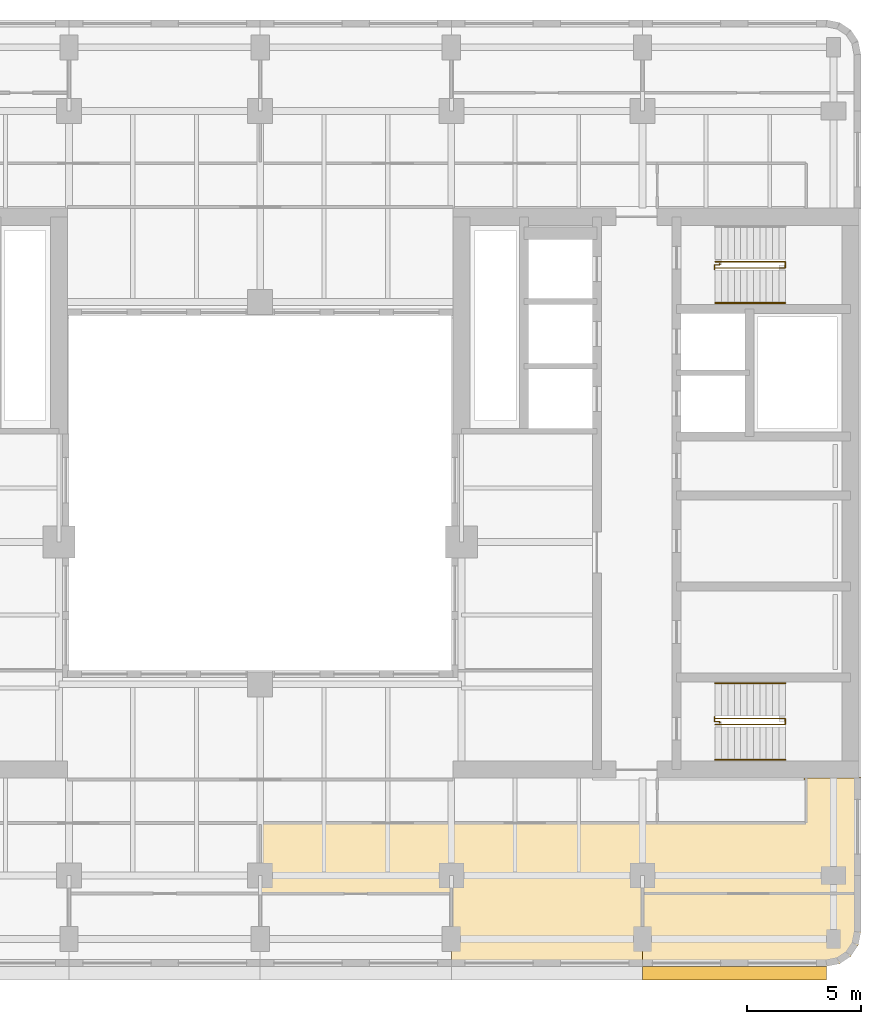
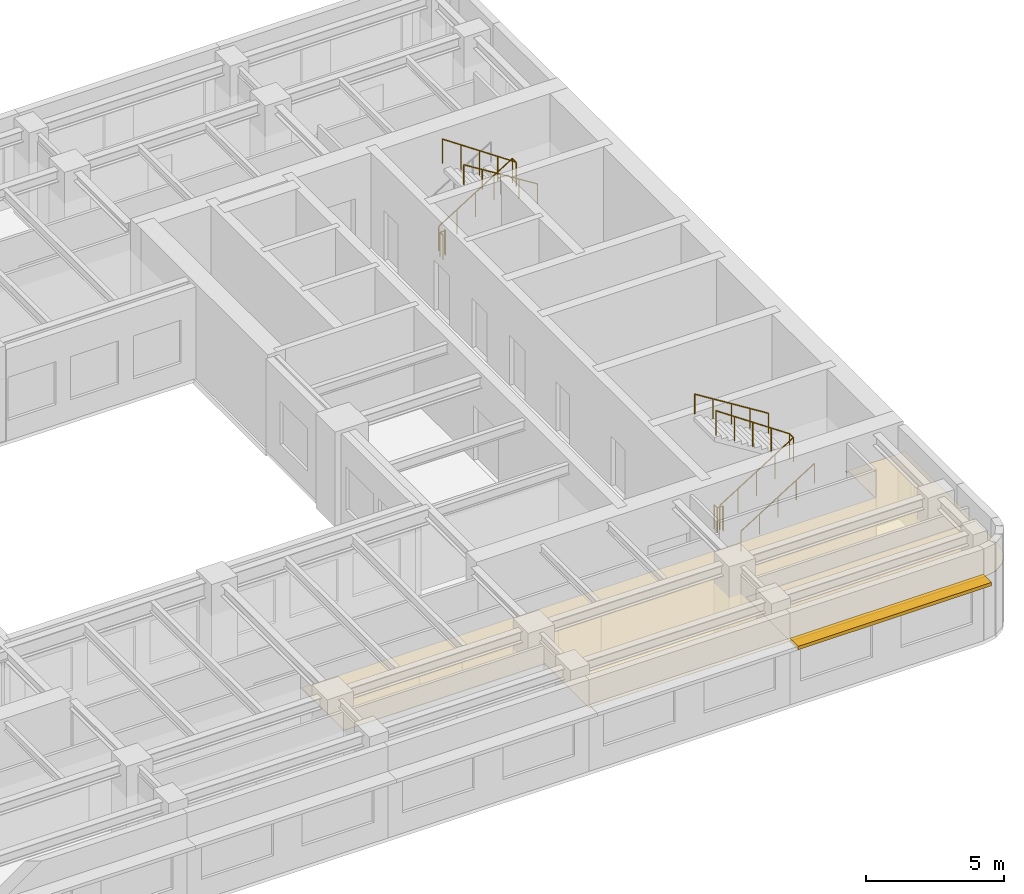
# One storey, part 10 of 11: 7 railings, 2 coverings, 1 shading device.
"""IFC4 building model written with IfcOpenShell, lengths in metres."""

from ifc_helpers import new_model, si_unit, direction, frame, origin, origin_2d, place, context, subcontext, project, spatial, polyline, rectangle, circle, outline, extrude, material, layer, layer_set, type_object, element, save


model = new_model("IFC4")

# Units and contexts
model_context = context("Model", 3, precision=1e-05, world=origin(), true_north=direction((0.0, 1.0)))
body_context = subcontext(model_context, "Body", "Model", "MODEL_VIEW")
ifc_project = project(units=[si_unit("LENGTHUNIT", "METRE"), si_unit("AREAUNIT", "SQUARE_METRE"), si_unit("VOLUMEUNIT", "CUBIC_METRE"), si_unit("PLANEANGLEUNIT", "RADIAN"), si_unit("MASSUNIT", "GRAM", prefix="KILO")], contexts=[model_context])

# Site, building, storey
site_placement = place(None, origin())
site = spatial("IfcSite", under=ifc_project, at=site_placement, CompositionType="ELEMENT")
building_placement = place(site_placement, origin())
building = spatial("IfcBuilding", under=site, at=building_placement, Name="Claustro Exchange Tower", CompositionType="ELEMENT")
storey_placement = place(building_placement, frame((0.0, 0.0, 190.199951171875)))
storey = spatial("IfcBuildingStorey", under=building, at=storey_placement, Name="L43", CompositionType="ELEMENT", Elevation=190.199951171875)

# Coverings
ifc_material_1 = material(Name="Gypsum board ceiling", Category="gypsum board")
ifc_layer_1 = layer(ifc_material_1, 0.02490234375)
ifc_layer_set_1 = layer_set([ifc_layer_1], Name="Gypsum board ceiling")
covering_type = type_object("IfcCoveringType", Name="CL2 plasterboard ceiling", PredefinedType="CEILING", material=ifc_layer_set_1)
covering_1_placement = place(storey_placement, frame((0.0, 0.0, 2.800048828125)))
element("IfcCovering", 1, at=covering_1_placement, inside=storey, type_object=covering_type, Name="Ceiling CL2 L43-04", PredefinedType="CEILING", context=body_context, shape_type="SweptSolid", body=[
    extrude(outline(polyline([(51.60009765625, 5.89990234375), (51.60009765625, 7.60009765625), (42.0, 7.60009765625), (42.0, 4.39990234375), (50.10009765625, 4.39990234375), (50.674072265625, 4.51416015625), (51.16064453125, 4.83935546875), (51.48583984375, 5.325927734375), (51.60009765625, 5.89990234375)])), origin(), (0.0, 0.0, 1.0), 0.02490234375),
])
covering_2_placement = place(storey_placement, frame((0.0, 0.0, 2.800048828125)))
element("IfcCovering", 2, at=covering_2_placement, inside=storey, type_object=covering_type, Name="Ceiling CL2 L43-06", PredefinedType="CEILING", context=body_context, shape_type="SweptSolid", body=[
    extrude(outline(polyline([(51.60009765625, 7.60009765625), (51.60009765625, 12.695068359375), (51.52490234375, 12.695068359375), (51.52490234375, 12.675048828125), (49.10498046875, 12.675048828125), (49.10498046875, 12.60009765625), (49.199951171875, 12.60009765625), (49.199951171875, 10.699951171875), (25.199951171875, 10.699951171875), (25.199951171875, 7.60009765625), (33.60009765625, 7.60009765625), (33.60009765625, 4.39990234375), (42.0, 4.39990234375), (42.0, 7.60009765625), (51.60009765625, 7.60009765625)])), origin(), (0.0, 0.0, 1.0), 0.02490234375),
])

# Railings
ifc_material_2 = material(Name="Steel balustrade, painted", Category="steel")
railing_type_1 = type_object("IfcRailingType", Name="GR2 1100 steel stair guard", PredefinedType="GUARDRAIL", material=ifc_material_2)
railing_1_placement = place(storey_placement, frame((45.199951171875, 15.02490234375, 0.175048828125)))
element("IfcRailing", 3, at=railing_1_placement, inside=storey, type_object=railing_type_1, Name="Stair well guard GR2 stair STEA L43", PredefinedType="GUARDRAIL", context=body_context, shape_type="SweptSolid", body=[
    extrude(circle(Radius=0.02392578125, at=origin_2d()), frame((0.0, 0.0, 1.076171875), z_axis=(0.847998304005, 0.0, 0.529998940003), x_axis=(0.0, 1.0, 0.0)), (0.0, 0.0, 1.0), 3.632080078125),
    extrude(circle(Radius=0.02392578125, at=origin_2d()), frame((3.080078125, 0.0, 3.0009765625), z_axis=(0.0, 1.0, 0.0), x_axis=(-1.0, 0.0, 0.0)), (0.0, 0.0, 1.0), 0.275146484375),
    extrude(circle(Radius=0.02392578125, at=origin_2d()), frame((3.080078125, 0.275146484375, 3.0009765625), z_axis=(-0.826252282691, 0.0, 0.563300244406), x_axis=(0.0, -1.0, 0.0)), (0.0, 0.0, 1.0), 3.727783203125),
    extrude(circle(Radius=0.02099609375, at=origin_2d()), origin(), (0.0, 0.0, 1.0), 1.052001953125),
    extrude(circle(Radius=0.02099609375, at=origin_2d()), frame((0.77001953125, 0.0, 0.481201171875)), (0.0, 0.0, 1.0), 1.052001953125),
    extrude(circle(Radius=0.02099609375, at=origin_2d()), frame((1.5400390625, 0.0, 0.96240234375)), (0.0, 0.0, 1.0), 1.052001953125),
    extrude(circle(Radius=0.02099609375, at=origin_2d()), frame((2.31005859375, 0.0, 1.44384765625)), (0.0, 0.0, 1.0), 1.052001953125),
    extrude(circle(Radius=0.02099609375, at=origin_2d()), frame((3.080078125, 0.0, 1.925048828125)), (0.0, 0.0, 1.0), 1.052001953125),
    extrude(circle(Radius=0.02099609375, at=origin_2d()), frame((3.080078125, 0.275146484375, 1.925048828125)), (0.0, 0.0, 1.0), 1.052001953125),
    extrude(circle(Radius=0.02099609375, at=origin_2d()), frame((2.31005859375, 0.275146484375, 2.449951171875)), (0.0, 0.0, 1.0), 1.052001953125),
    extrude(circle(Radius=0.02099609375, at=origin_2d()), frame((1.5400390625, 0.275146484375, 2.97509765625)), (0.0, 0.0, 1.0), 1.052001953125),
    extrude(circle(Radius=0.02099609375, at=origin_2d()), frame((0.77001953125, 0.275146484375, 3.5)), (0.0, 0.0, 1.0), 1.052001953125),
    extrude(circle(Radius=0.02099609375, at=origin_2d()), frame((0.0, 0.275146484375, 4.02490234375)), (0.0, 0.0, 1.0), 1.052001953125),
])
railing_2_placement = place(storey_placement, frame((45.39990234375, 15.094970703125, 0.0)))
element("IfcRailing", 4, at=railing_2_placement, inside=storey, type_object=railing_type_1, Name="Stair guard GR2 STEA L43", PredefinedType="GUARDRAIL", context=body_context, shape_type="SweptSolid", body=[
    extrude(circle(Radius=0.02392578125, at=origin_2d()), frame((0.0, 0.0, 1.076171875), z_axis=(0.0, 1.0, 0.0), x_axis=(-1.0, 0.0, 0.0)), (0.0, 0.0, 1.0), 0.067626953125),
    extrude(circle(Radius=0.02392578125, at=origin_2d()), frame((0.0, 0.067626953125, 1.076171875), z_axis=(-1.0, 0.0, 0.0), x_axis=(0.0, -1.0, 0.0)), (0.0, 0.0, 1.0), 0.224853515625),
    extrude(circle(Radius=0.02392578125, at=origin_2d()), frame((-0.224853515625, 0.067626953125, 1.076171875), z_axis=(0.0, 1.0, 0.0), x_axis=(-1.0, 0.0, 0.0)), (0.0, 0.0, 1.0), 0.21728515625),
    extrude(circle(Radius=0.02099609375, at=origin_2d()), origin(), (0.0, 0.0, 1.0), 1.052001953125),
    extrude(circle(Radius=0.02099609375, at=origin_2d()), frame((0.0, 0.067626953125, 0.0)), (0.0, 0.0, 1.0), 1.052001953125),
    extrude(circle(Radius=0.02099609375, at=origin_2d()), frame((-0.224853515625, 0.067626953125, 0.0)), (0.0, 0.0, 1.0), 1.052001953125),
    extrude(circle(Radius=0.02099609375, at=origin_2d()), frame((-0.224853515625, 0.284912109375, 0.0)), (0.0, 0.0, 1.0), 1.052001953125),
])
railing_3_placement = place(storey_placement, frame((45.199951171875, 35.375, 0.175048828125)))
element("IfcRailing", 5, at=railing_3_placement, inside=storey, type_object=railing_type_1, Name="Stair well guard GR2 stair STEB L43", PredefinedType="GUARDRAIL", context=body_context, shape_type="SweptSolid", body=[
    extrude(circle(Radius=0.02392578125, at=origin_2d()), frame((0.0, 0.0, 1.076171875), z_axis=(0.847998304005, 0.0, 0.529998940003), x_axis=(0.0, 1.0, 0.0)), (0.0, 0.0, 1.0), 3.632080078125),
    extrude(circle(Radius=0.02392578125, at=origin_2d()), frame((3.080078125, 0.0, 3.0009765625), z_axis=(0.0, -1.0, 0.0), x_axis=(1.0, 0.0, 0.0)), (0.0, 0.0, 1.0), 0.27490234375),
    extrude(circle(Radius=0.02392578125, at=origin_2d()), frame((3.080078125, -0.27490234375, 3.0009765625), z_axis=(-0.826252282691, 0.0, 0.563300244406), x_axis=(0.0, -1.0, 0.0)), (0.0, 0.0, 1.0), 3.727783203125),
    extrude(circle(Radius=0.02099609375, at=origin_2d()), origin(), (0.0, 0.0, 1.0), 1.052001953125),
    extrude(circle(Radius=0.02099609375, at=origin_2d()), frame((0.77001953125, 0.0, 0.481201171875)), (0.0, 0.0, 1.0), 1.052001953125),
    extrude(circle(Radius=0.02099609375, at=origin_2d()), frame((1.5400390625, 0.0, 0.96240234375)), (0.0, 0.0, 1.0), 1.052001953125),
    extrude(circle(Radius=0.02099609375, at=origin_2d()), frame((2.31005859375, 0.0, 1.44384765625)), (0.0, 0.0, 1.0), 1.052001953125),
    extrude(circle(Radius=0.02099609375, at=origin_2d()), frame((3.080078125, 0.0, 1.925048828125)), (0.0, 0.0, 1.0), 1.052001953125),
    extrude(circle(Radius=0.02099609375, at=origin_2d()), frame((3.080078125, -0.27490234375, 1.925048828125)), (0.0, 0.0, 1.0), 1.052001953125),
    extrude(circle(Radius=0.02099609375, at=origin_2d()), frame((2.31005859375, -0.27490234375, 2.449951171875)), (0.0, 0.0, 1.0), 1.052001953125),
    extrude(circle(Radius=0.02099609375, at=origin_2d()), frame((1.5400390625, -0.27490234375, 2.97509765625)), (0.0, 0.0, 1.0), 1.052001953125),
    extrude(circle(Radius=0.02099609375, at=origin_2d()), frame((0.77001953125, -0.27490234375, 3.5)), (0.0, 0.0, 1.0), 1.052001953125),
    extrude(circle(Radius=0.02099609375, at=origin_2d()), frame((0.0, -0.27490234375, 4.02490234375)), (0.0, 0.0, 1.0), 1.052001953125),
])
railing_4_placement = place(storey_placement, frame((45.39990234375, 35.304931640625, 0.0)))
element("IfcRailing", 6, at=railing_4_placement, inside=storey, type_object=railing_type_1, Name="Stair guard GR2 STEB L43", PredefinedType="GUARDRAIL", context=body_context, shape_type="SweptSolid", body=[
    extrude(circle(Radius=0.02392578125, at=origin_2d()), frame((0.0, 0.0, 1.076171875), z_axis=(0.0, -1.0, 0.0), x_axis=(1.0, 0.0, 0.0)), (0.0, 0.0, 1.0), 0.0673828125),
    extrude(circle(Radius=0.02392578125, at=origin_2d()), frame((0.0, -0.0673828125, 1.076171875), z_axis=(-1.0, 0.0, 0.0), x_axis=(0.0, -1.0, 0.0)), (0.0, 0.0, 1.0), 0.224853515625),
    extrude(circle(Radius=0.02392578125, at=origin_2d()), frame((-0.224853515625, -0.0673828125, 1.076171875), z_axis=(0.0, -1.0, 0.0), x_axis=(1.0, 0.0, 0.0)), (0.0, 0.0, 1.0), 0.217529296875),
    extrude(circle(Radius=0.02099609375, at=origin_2d()), origin(), (0.0, 0.0, 1.0), 1.052001953125),
    extrude(circle(Radius=0.02099609375, at=origin_2d()), frame((0.0, -0.0673828125, 0.0)), (0.0, 0.0, 1.0), 1.052001953125),
    extrude(circle(Radius=0.02099609375, at=origin_2d()), frame((-0.224853515625, -0.0673828125, 0.0)), (0.0, 0.0, 1.0), 1.052001953125),
    extrude(circle(Radius=0.02099609375, at=origin_2d()), frame((-0.224853515625, -0.284912109375, 0.0)), (0.0, 0.0, 1.0), 1.052001953125),
])
ifc_material_3 = material(Name="Stainless steel tube", Category="steel")
railing_type_2 = type_object("IfcRailingType", Name="HR1 900 stair handrail", PredefinedType="HANDRAIL", material=ifc_material_3)
railing_5_placement = place(storey_placement, frame((45.199951171875, 13.485107421875, 0.175048828125)))
element("IfcRailing", 7, at=railing_5_placement, inside=storey, type_object=railing_type_2, Name="Handrail HR1 stair STEA L43", PredefinedType="HANDRAIL", context=body_context, shape_type="SweptSolid", body=[
    extrude(circle(Radius=0.02392578125, at=origin_2d()), frame((0.0, 0.0, 0.8759765625), z_axis=(0.847998304005, 0.0, 0.529998940003), x_axis=(0.0, 1.0, 0.0)), (0.0, 0.0, 1.0), 3.632080078125),
    extrude(circle(Radius=0.02099609375, at=origin_2d()), origin(), (0.0, 0.0, 1.0), 0.851806640625),
    extrude(circle(Radius=0.02099609375, at=origin_2d()), frame((0.77001953125, 0.0, 0.481201171875)), (0.0, 0.0, 1.0), 0.851806640625),
    extrude(circle(Radius=0.02099609375, at=origin_2d()), frame((1.5400390625, 0.0, 0.96240234375)), (0.0, 0.0, 1.0), 0.851806640625),
    extrude(circle(Radius=0.02099609375, at=origin_2d()), frame((2.31005859375, 0.0, 1.44384765625)), (0.0, 0.0, 1.0), 0.851806640625),
    extrude(circle(Radius=0.02099609375, at=origin_2d()), frame((3.080078125, 0.0, 1.925048828125)), (0.0, 0.0, 1.0), 0.851806640625),
])
for number, where, name in (
    (8, (48.280029296875, 16.840087890625, 2.275146484375), "Handrail HR1 stair STEA L43"),
    (9, (48.280029296875, 33.56005859375, 2.275146484375), "Handrail HR1 stair STEB L43"),
):
    element("IfcRailing", number, at=place(storey_placement, frame(where)), inside=storey, type_object=railing_type_2, Name=name, PredefinedType="HANDRAIL", context=body_context, shape_type="SweptSolid", body=[
        extrude(circle(Radius=0.02392578125, at=origin_2d()), frame((0.0, 0.0, 0.8759765625), z_axis=(-0.848028513186, 0.0, 0.529950602248), x_axis=(0.0, -1.0, 0.0)), (0.0, 0.0, 1.0), 3.632080078125),
        extrude(circle(Radius=0.02099609375, at=origin_2d()), origin(), (0.0, 0.0, 1.0), 0.851806640625),
        extrude(circle(Radius=0.02099609375, at=origin_2d()), frame((-0.77001953125, 0.0, 0.481201171875)), (0.0, 0.0, 1.0), 0.851806640625),
        extrude(circle(Radius=0.02099609375, at=origin_2d()), frame((-1.5400390625, 0.0, 0.96240234375)), (0.0, 0.0, 1.0), 0.851806640625),
        extrude(circle(Radius=0.02099609375, at=origin_2d()), frame((-2.31005859375, 0.0, 1.443603515625)), (0.0, 0.0, 1.0), 0.851806640625),
        extrude(circle(Radius=0.02099609375, at=origin_2d()), frame((-3.080078125, 0.0, 1.9248046875)), (0.0, 0.0, 1.0), 0.851806640625),
    ])

# Shading device
ifc_material_4 = material(Name="Concrete HA-40 (C40/50), precast, white cement, acid-etched", Category="concrete")
ifc_layer_2 = layer(ifc_material_4, 0.14990234375)
ifc_layer_set_2 = layer_set([ifc_layer_2], Name="Concrete HA-40 (C40/50), precast, white cement, acid-etched")
shading_device_type = type_object("IfcShadingDeviceType", Name="SS1 600 precast concrete SUNSHADE", PredefinedType="SHUTTER", material=ifc_layer_set_2)
shading_device_placement = place(storey_placement, frame((46.04248046875, 4.10009765625, 2.800048828125), z_axis=(0.0, 0.0, 1.0), x_axis=(-1.0, 0.0, 0.0)))
element("IfcShadingDevice", 10, at=shading_device_placement, inside=storey, type_object=shading_device_type, Name="Precast SUNSHADE SS1 L43", PredefinedType="SHUTTER", context=body_context, shape_type="SweptSolid", body=[
    extrude(rectangle(XDim=8.085205078125, YDim=0.60009765625, at=origin_2d()), origin(), (0.0, 0.0, 1.0), 0.14990234375),
])

save(model, "model.ifc")
